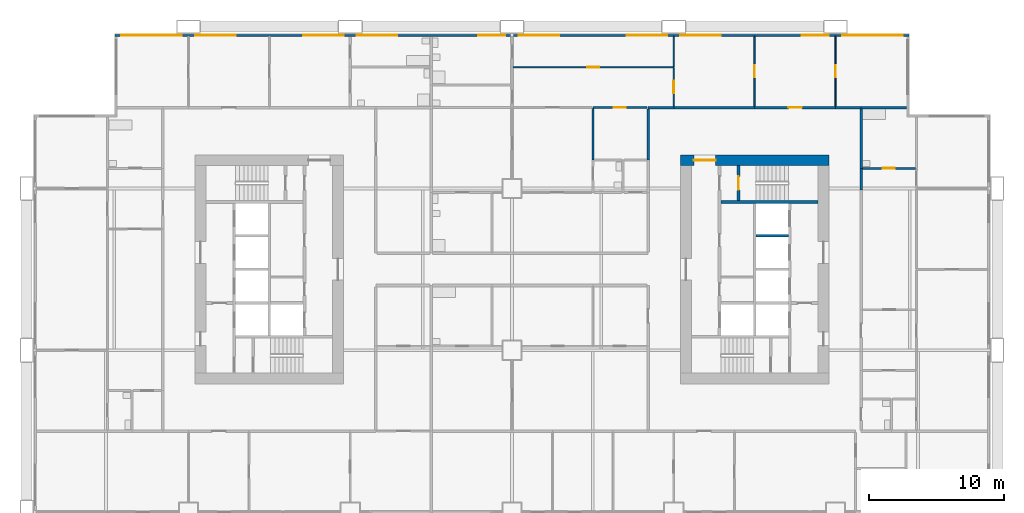
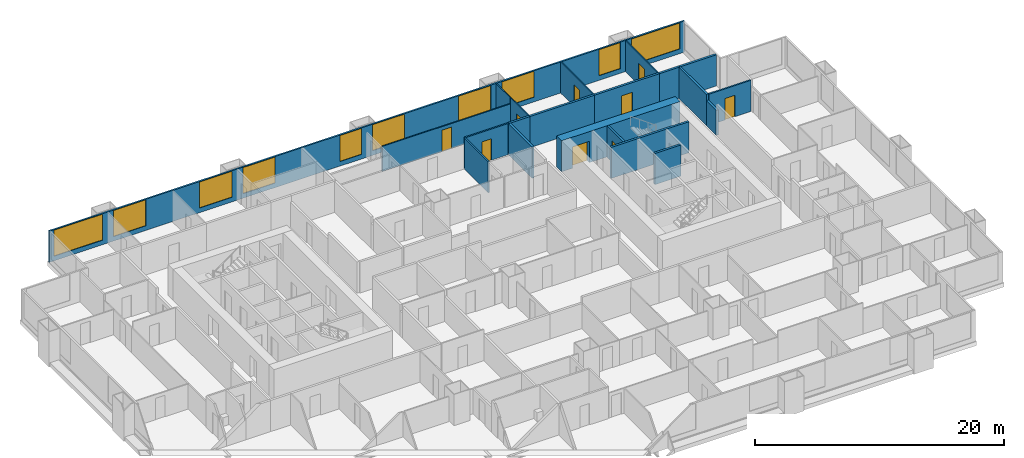
# One storey, part 9 of 13: 21 walls, 10 windows, 9 doors, 19 openings.
"""IFC4 building model written with IfcOpenShell, lengths in metres."""

from ifc_helpers import new_model, si_unit, direction, frame, frame_2d, origin, place, context, subcontext, project, spatial, rectangle, extrude, material, layer, layer_set, type_object, element, fill, save


model = new_model("IFC4")

# Units and contexts
model_context = context("Model", 3, precision=1e-05, world=origin(), true_north=direction((0.0, 1.0)))
body_context = subcontext(model_context, "Body", "Model", "MODEL_VIEW")
ifc_project = project(units=[si_unit("LENGTHUNIT", "METRE"), si_unit("AREAUNIT", "SQUARE_METRE"), si_unit("VOLUMEUNIT", "CUBIC_METRE"), si_unit("PLANEANGLEUNIT", "RADIAN"), si_unit("MASSUNIT", "GRAM", prefix="KILO")], contexts=[model_context])

# Site, building, storey
site_placement = place(None, origin())
site = spatial("IfcSite", under=ifc_project, at=site_placement, CompositionType="ELEMENT")
building_placement = place(site_placement, origin())
building = spatial("IfcBuilding", under=site, at=building_placement, Name="Kitamizu Gate Tower and Museum", CompositionType="ELEMENT")
storey_placement = place(building_placement, frame((0.0, 0.0, 40.35009765625)))
storey = spatial("IfcBuildingStorey", under=building, at=storey_placement, Name="L08", CompositionType="ELEMENT", Elevation=40.35009765625)

# Wall, opening, door
ifc_material_1 = material(Name="Concrete Fc60", Category="concrete")
ifc_layer_1 = layer(ifc_material_1, 0.800048828125)
ifc_layer_set_1 = layer_set([ifc_layer_1], Name="Concrete Fc60")
wall_type_1 = type_object("IfcWallType", Name="Core wall 800", PredefinedType="SHEAR", material=ifc_layer_set_1)
wall_1_placement = place(storey_placement, frame((59.5, 38.10009765625, 0.0), z_axis=(0.0, 0.0, 1.0), x_axis=(-1.0, 0.0, 0.0)))
wall_1 = element("IfcWall", 1, at=wall_1_placement, inside=storey, type_object=wall_type_1, Name="Core wall EN", PredefinedType="SHEAR", context=body_context, shape_type="SweptSolid", body=[
    extrude(rectangle(XDim=11.0, YDim=0.800048828125, at=frame_2d((5.5, 0.0))), origin(), (0.0, 0.0, 1.0), 3.0498046875),
])
opening_1_placement = place(wall_1_placement, frame((8.39990234375, 0.0, 0.0)))
opening_1 = element("IfcOpeningElement", 2, at=opening_1_placement, cuts=wall_1, Name="Opening L08-097", PredefinedType="OPENING", context=body_context, shape_type="SweptSolid", body=[
    extrude(rectangle(XDim=1.60009765625, YDim=2.10009765625, at=frame_2d((0.800048828125, 1.050048828125))), frame((0.0, 0.41015625, 0.0), z_axis=(0.0, -1.0, 0.0), x_axis=(1.0, 0.0, 0.0)), (0.0, 0.0, 1.0), 0.820068359375),
])
ifc_material_2 = material(Name="Timber door set", Category="wood")
door_type_1 = type_object("IfcDoorType", Name="Entrance door 1600", OperationType="DOUBLE_DOOR_SINGLE_SWING", PredefinedType="DOOR", material=ifc_material_2)
door_1_placement = place(opening_1_placement, origin())
door_1 = element("IfcDoor", 3, at=door_1_placement, inside=storey, type_object=door_type_1, Name="Lobby door L08-097", OperationType="DOUBLE_DOOR_SINGLE_SWING", OverallHeight=2.10009765625, OverallWidth=1.60009765625, PredefinedType="DOOR", context=body_context, shape_type="SweptSolid", body=[
    extrude(rectangle(XDim=1.60009765625, YDim=2.10009765625, at=frame_2d((0.800048828125, 1.050048828125))), frame((0.0, 0.02490234375, 0.0), z_axis=(0.0, -1.0, 0.0), x_axis=(1.0, 0.0, 0.0)), (0.0, 0.0, 1.0), 0.050048828125),
])
fill(opening_1, door_1)

ifc_material_3 = material(Name="Gypsum board on galvanised stud")
ifc_layer_2 = layer(ifc_material_3, 0.10009765625)
ifc_layer_set_2 = layer_set([ifc_layer_2], Name="Gypsum board on galvanised stud")
wall_type_2 = type_object("IfcWallType", Name="Partition 100 NOT RATED", PredefinedType="PARTITIONING", material=ifc_layer_set_2)
wall_2_placement = place(storey_placement, frame((48.0, 45.0, 0.0), z_axis=(0.0, 0.0, 1.0), x_axis=(-1.0, 0.0, 0.0)))
wall_2 = element("IfcWall", 4, at=wall_2_placement, inside=storey, type_object=wall_type_2, Name="Partition L08-158", PredefinedType="PARTITIONING", context=body_context, shape_type="SweptSolid", body=[
    extrude(rectangle(XDim=11.925048828125, YDim=0.10009765625, at=frame_2d((5.96240234375, 0.0))), origin(), (0.0, 0.0, 1.0), 2.449951171875),
])
opening_2_placement = place(wall_2_placement, frame((5.512451171875, 0.0, 0.0)))
opening_2 = element("IfcOpeningElement", 5, at=opening_2_placement, cuts=wall_2, Name="Opening L08-059", PredefinedType="OPENING", context=body_context, shape_type="SweptSolid", body=[
    extrude(rectangle(XDim=0.89990234375, YDim=2.10009765625, at=frame_2d((0.449951171875, 1.050048828125))), frame((0.0, 0.06005859375, 0.0), z_axis=(0.0, -1.0, 0.0), x_axis=(1.0, 0.0, 0.0)), (0.0, 0.0, 1.0), 0.1201171875),
])
ifc_material_4 = material(Name="Timber door set", Category="wood")
door_type_2 = type_object("IfcDoorType", Name="Room door 900", OperationType="NOTDEFINED", PredefinedType="DOOR", material=ifc_material_4)
door_2_placement = place(opening_2_placement, frame((0.89990234375, 0.0, 0.0), x_axis=(-1.0, 0.0, 0.0)))
door_2 = element("IfcDoor", 6, at=door_2_placement, inside=storey, type_object=door_type_2, Name="Door L08-059", OperationType="SINGLE_SWING_LEFT", OverallHeight=2.10009765625, OverallWidth=0.89990234375, PredefinedType="DOOR", context=body_context, shape_type="SweptSolid", body=[
    extrude(rectangle(XDim=0.89990234375, YDim=2.10009765625, at=frame_2d((0.449951171875, 1.050048828125))), frame((0.0, 0.02490234375, 0.0), z_axis=(0.0, -1.0, 0.0), x_axis=(1.0, 0.0, 0.0)), (0.0, 0.0, 1.0), 0.050048828125),
])
fill(opening_2, door_2)

wall_3_placement = place(storey_placement, frame((48.0, 42.10009765625, 0.0), z_axis=(0.0, 0.0, 1.0), x_axis=(0.0, 1.0, 0.0)))
wall_3 = element("IfcWall", 7, at=wall_3_placement, inside=storey, type_object=wall_type_2, Name="Partition L08-159", PredefinedType="PARTITIONING", context=body_context, shape_type="SweptSolid", body=[
    extrude(rectangle(XDim=2.849853515625, YDim=0.10009765625, at=frame_2d((1.4248046875, 0.0))), origin(), (0.0, 0.0, 1.0), 3.0498046875),
])
opening_3_placement = place(wall_3_placement, frame((0.97509765625, 0.0, 0.0)))
opening_3 = element("IfcOpeningElement", 8, at=opening_3_placement, cuts=wall_3, Name="Opening L08-058", PredefinedType="OPENING", context=body_context, shape_type="SweptSolid", body=[
    extrude(rectangle(XDim=0.89990234375, YDim=2.10009765625, at=frame_2d((0.449951171875, 1.050048828125))), frame((0.0, 0.06005859375, 0.0), z_axis=(0.0, -1.0, 0.0), x_axis=(1.0, 0.0, 0.0)), (0.0, 0.0, 1.0), 0.1201171875),
])
door_3_placement = place(opening_3_placement, frame((0.89990234375, 0.0, 0.0), x_axis=(-1.0, 0.0, 0.0)))
door_3 = element("IfcDoor", 9, at=door_3_placement, inside=storey, type_object=door_type_2, Name="Door L08-058", OperationType="SINGLE_SWING_LEFT", OverallHeight=2.10009765625, OverallWidth=0.89990234375, PredefinedType="DOOR", context=body_context, shape_type="SweptSolid", body=[
    extrude(rectangle(XDim=0.89990234375, YDim=2.10009765625, at=frame_2d((0.449951171875, 1.050048828125))), frame((0.0, 0.02490234375, 0.0), z_axis=(0.0, -1.0, 0.0), x_axis=(1.0, 0.0, 0.0)), (0.0, 0.0, 1.0), 0.050048828125),
])
fill(opening_3, door_3)

# Wall
wall_4_placement = place(storey_placement, frame((48.0, 45.050048828125, 0.0), z_axis=(0.0, 0.0, 1.0), x_axis=(0.0, 1.0, 0.0)))
element("IfcWall", 10, at=wall_4_placement, inside=storey, type_object=wall_type_2, Name="Partition L08-163", PredefinedType="PARTITIONING", context=body_context, shape_type="SweptSolid", body=[
    extrude(rectangle(XDim=2.22998046875, YDim=0.10009765625, at=frame_2d((1.114990234375, 0.0))), origin(), (0.0, 0.0, 1.0), 3.0498046875),
])

# Wall, opening, door
wall_5_placement = place(storey_placement, frame((54.0, 42.10009765625, 0.0), z_axis=(0.0, 0.0, 1.0), x_axis=(0.0, 1.0, 0.0)))
wall_5 = element("IfcWall", 11, at=wall_5_placement, inside=storey, type_object=wall_type_2, Name="Partition L08-164", PredefinedType="PARTITIONING", context=body_context, shape_type="SweptSolid", body=[
    extrude(rectangle(XDim=5.179931640625, YDim=0.10009765625, at=frame_2d((2.58984375, 0.0))), origin(), (0.0, 0.0, 1.0), 3.0498046875),
])
opening_4_placement = place(wall_5_placement, frame((2.139892578125, 0.0, 0.0)))
opening_4 = element("IfcOpeningElement", 12, at=opening_4_placement, cuts=wall_5, Name="Opening L08-057", PredefinedType="OPENING", context=body_context, shape_type="SweptSolid", body=[
    extrude(rectangle(XDim=0.89990234375, YDim=2.10009765625, at=frame_2d((0.449951171875, 1.050048828125))), frame((0.0, 0.06005859375, 0.0), z_axis=(0.0, -1.0, 0.0), x_axis=(1.0, 0.0, 0.0)), (0.0, 0.0, 1.0), 0.1201171875),
])
door_4_placement = place(opening_4_placement, origin())
door_4 = element("IfcDoor", 13, at=door_4_placement, inside=storey, type_object=door_type_2, Name="Door L08-057", OperationType="SINGLE_SWING_LEFT", OverallHeight=2.10009765625, OverallWidth=0.89990234375, PredefinedType="DOOR", context=body_context, shape_type="SweptSolid", body=[
    extrude(rectangle(XDim=0.89990234375, YDim=2.10009765625, at=frame_2d((0.449951171875, 1.050048828125))), frame((0.0, 0.02490234375, 0.0), z_axis=(0.0, -1.0, 0.0), x_axis=(1.0, 0.0, 0.0)), (0.0, 0.0, 1.0), 0.050048828125),
])
fill(opening_4, door_4)

wall_6_placement = place(storey_placement, frame((60.0, 42.10009765625, 0.0), z_axis=(0.0, 0.0, 1.0), x_axis=(0.0, 1.0, 0.0)))
wall_6 = element("IfcWall", 14, at=wall_6_placement, inside=storey, type_object=wall_type_2, Name="Partition L08-166", PredefinedType="PARTITIONING", context=body_context, shape_type="SweptSolid", body=[
    extrude(rectangle(XDim=5.179931640625, YDim=0.10009765625, at=frame_2d((2.58984375, 0.0))), origin(), (0.0, 0.0, 1.0), 3.0498046875),
])
opening_5_placement = place(wall_6_placement, frame((2.139892578125, 0.0, 0.0)))
opening_5 = element("IfcOpeningElement", 15, at=opening_5_placement, cuts=wall_6, Name="Opening L08-056", PredefinedType="OPENING", context=body_context, shape_type="SweptSolid", body=[
    extrude(rectangle(XDim=0.89990234375, YDim=2.10009765625, at=frame_2d((0.449951171875, 1.050048828125))), frame((0.0, 0.06005859375, 0.0), z_axis=(0.0, -1.0, 0.0), x_axis=(1.0, 0.0, 0.0)), (0.0, 0.0, 1.0), 0.1201171875),
])
door_5_placement = place(opening_5_placement, frame((0.89990234375, 0.0, 0.0), x_axis=(-1.0, 0.0, 0.0)))
door_5 = element("IfcDoor", 16, at=door_5_placement, inside=storey, type_object=door_type_2, Name="Door L08-056", OperationType="SINGLE_SWING_LEFT", OverallHeight=2.10009765625, OverallWidth=0.89990234375, PredefinedType="DOOR", context=body_context, shape_type="SweptSolid", body=[
    extrude(rectangle(XDim=0.89990234375, YDim=2.10009765625, at=frame_2d((0.449951171875, 1.050048828125))), frame((0.0, 0.02490234375, 0.0), z_axis=(0.0, -1.0, 0.0), x_axis=(1.0, 0.0, 0.0)), (0.0, 0.0, 1.0), 0.050048828125),
])
fill(opening_5, door_5)

ifc_material_5 = material(Name="Gypsum board on galvanised stud")
ifc_layer_3 = layer(ifc_material_5, 0.14990234375)
ifc_layer_set_3 = layer_set([ifc_layer_3], Name="Gypsum board on galvanised stud")
wall_type_3 = type_object("IfcWallType", Name="Partition 150", PredefinedType="PARTITIONING", material=ifc_layer_set_3)
wall_7_placement = place(storey_placement, frame((42.0, 42.0, 0.0), z_axis=(0.0, 0.0, 1.0), x_axis=(1.0, 0.0, 0.0)))
wall_7 = element("IfcWall", 17, at=wall_7_placement, inside=storey, type_object=wall_type_3, Name="Partition L08-161", PredefinedType="PARTITIONING", context=body_context, shape_type="SweptSolid", body=[
    extrude(rectangle(XDim=4.0, YDim=0.14990234375, at=frame_2d((2.0, 0.0))), origin(), (0.0, 0.0, 1.0), 3.0498046875),
])
opening_6_placement = place(wall_7_placement, frame((1.550048828125, 0.0, 0.0)))
opening_6 = element("IfcOpeningElement", 18, at=opening_6_placement, cuts=wall_7, Name="Opening L08-062", PredefinedType="OPENING", context=body_context, shape_type="SweptSolid", body=[
    extrude(rectangle(XDim=0.89990234375, YDim=2.10009765625, at=frame_2d((0.449951171875, 1.050048828125))), frame((0.0, 0.0849609375, 0.0), z_axis=(0.0, -1.0, 0.0), x_axis=(1.0, 0.0, 0.0)), (0.0, 0.0, 1.0), 0.169921875),
])
ifc_material_6 = material(Name="Timber door set", Category="wood")
door_type_3 = type_object("IfcDoorType", Name="Bathroom door 900", OperationType="NOTDEFINED", PredefinedType="DOOR", material=ifc_material_6)
door_6_placement = place(opening_6_placement, frame((0.89990234375, 0.0, 0.0), x_axis=(-1.0, 0.0, 0.0)))
door_6 = element("IfcDoor", 19, at=door_6_placement, inside=storey, type_object=door_type_3, Name="Bathroom door L08-062", OperationType="SINGLE_SWING_LEFT", OverallHeight=2.10009765625, OverallWidth=0.89990234375, PredefinedType="DOOR", context=body_context, shape_type="SweptSolid", body=[
    extrude(rectangle(XDim=0.89990234375, YDim=2.10009765625, at=frame_2d((0.449951171875, 1.050048828125))), frame((0.0, 0.02490234375, 0.0), z_axis=(0.0, -1.0, 0.0), x_axis=(1.0, 0.0, 0.0)), (0.0, 0.0, 1.0), 0.050048828125),
])
fill(opening_6, door_6)

# Wall
wall_8_placement = place(storey_placement, frame((42.0, 38.10009765625, 0.0), z_axis=(0.0, 0.0, 1.0), x_axis=(0.0, 1.0, 0.0)))
element("IfcWall", 20, at=wall_8_placement, inside=storey, type_object=wall_type_3, Name="Partition L08-175", PredefinedType="PARTITIONING", context=body_context, shape_type="SweptSolid", body=[
    extrude(rectangle(XDim=3.824951171875, YDim=0.14990234375, at=frame_2d((1.91259765625, 0.0))), origin(), (0.0, 0.0, 1.0), 3.0498046875),
])

# Wall, opening, door
wall_9_placement = place(storey_placement, frame((65.925048828125, 37.5, 0.0), z_axis=(0.0, 0.0, 1.0), x_axis=(-1.0, 0.0, 0.0)))
wall_9 = element("IfcWall", 21, at=wall_9_placement, inside=storey, type_object=wall_type_3, Name="Partition L08-210", PredefinedType="PARTITIONING", context=body_context, shape_type="SweptSolid", body=[
    extrude(rectangle(XDim=3.925048828125, YDim=0.14990234375, at=frame_2d((1.96240234375, 0.0))), origin(), (0.0, 0.0, 1.0), 3.0498046875),
])
opening_7_placement = place(wall_9_placement, frame((1.512451171875, 0.0, 0.0)))
opening_7 = element("IfcOpeningElement", 22, at=opening_7_placement, cuts=wall_9, Name="Opening L08-076", PredefinedType="OPENING", context=body_context, shape_type="SweptSolid", body=[
    extrude(rectangle(XDim=0.89990234375, YDim=2.10009765625, at=frame_2d((0.449951171875, 1.050048828125))), frame((0.0, 0.0849609375, 0.0), z_axis=(0.0, -1.0, 0.0), x_axis=(1.0, 0.0, 0.0)), (0.0, 0.0, 1.0), 0.169921875),
])
door_7_placement = place(opening_7_placement, frame((0.89990234375, 0.0, 0.0), x_axis=(-1.0, 0.0, 0.0)))
door_7 = element("IfcDoor", 23, at=door_7_placement, inside=storey, type_object=door_type_3, Name="Bathroom door L08-076", OperationType="SINGLE_SWING_RIGHT", OverallHeight=2.10009765625, OverallWidth=0.89990234375, PredefinedType="DOOR", context=body_context, shape_type="SweptSolid", body=[
    extrude(rectangle(XDim=0.89990234375, YDim=2.10009765625, at=frame_2d((0.449951171875, 1.050048828125))), frame((0.0, 0.02490234375, 0.0), z_axis=(0.0, -1.0, 0.0), x_axis=(1.0, 0.0, 0.0)), (0.0, 0.0, 1.0), 0.050048828125),
])
fill(opening_7, door_7)

# Walls
ifc_material_7 = material(Name="Gypsum board on galvanised stud")
ifc_layer_4 = layer(ifc_material_7, 0.199951171875)
ifc_layer_set_4 = layer_set([ifc_layer_4], Name="Gypsum board on galvanised stud")
wall_type_4 = type_object("IfcWallType", Name="Partition 200", PredefinedType="PARTITIONING", material=ifc_layer_set_4)
wall_10_placement = place(storey_placement, frame((46.10009765625, 42.0, 0.0), z_axis=(0.0, 0.0, 1.0), x_axis=(1.0, 0.0, 0.0)))
element("IfcWall", 24, at=wall_10_placement, inside=storey, type_object=wall_type_4, Name="Partition L08-162", PredefinedType="PARTITIONING", context=body_context, shape_type="SweptSolid", body=[
    extrude(rectangle(XDim=1.89990234375, YDim=0.199951171875, at=frame_2d((0.949951171875, 0.0))), origin(), (0.0, 0.0, 1.0), 3.0498046875),
])
wall_11_placement = place(storey_placement, frame((48.0, 42.0, 0.0), z_axis=(0.0, 0.0, 1.0), x_axis=(1.0, 0.0, 0.0)))
element("IfcWall", 25, at=wall_11_placement, inside=storey, type_object=wall_type_4, Name="Partition L08-165", PredefinedType="PARTITIONING", context=body_context, shape_type="SweptSolid", body=[
    extrude(rectangle(XDim=6.0, YDim=0.199951171875, at=frame_2d((3.0, 0.0))), origin(), (0.0, 0.0, 1.0), 3.0498046875),
])

# Wall, opening, door
wall_12_placement = place(storey_placement, frame((54.0, 42.0, 0.0), z_axis=(0.0, 0.0, 1.0), x_axis=(1.0, 0.0, 0.0)))
wall_12 = element("IfcWall", 26, at=wall_12_placement, inside=storey, type_object=wall_type_4, Name="Partition L08-167", PredefinedType="PARTITIONING", context=body_context, shape_type="SweptSolid", body=[
    extrude(rectangle(XDim=6.0, YDim=0.199951171875, at=frame_2d((3.0, 0.0))), origin(), (0.0, 0.0, 1.0), 3.0498046875),
])
opening_8_placement = place(wall_12_placement, frame((2.5, 0.0, 0.0)))
opening_8 = element("IfcOpeningElement", 27, at=opening_8_placement, cuts=wall_12, Name="Opening L08-055", PredefinedType="OPENING", context=body_context, shape_type="SweptSolid", body=[
    extrude(rectangle(XDim=1.0, YDim=2.10009765625, at=frame_2d((0.5, 1.050048828125))), frame((0.0, 0.10986328125, 0.0), z_axis=(0.0, -1.0, 0.0), x_axis=(1.0, 0.0, 0.0)), (0.0, 0.0, 1.0), 0.219970703125),
])
ifc_material_8 = material(Name="Timber door set", Category="wood")
door_type_4 = type_object("IfcDoorType", Name="Flat entrance door 1000", OperationType="NOTDEFINED", PredefinedType="DOOR", material=ifc_material_8)
door_8_placement = place(opening_8_placement, origin())
door_8 = element("IfcDoor", 28, at=door_8_placement, inside=storey, type_object=door_type_4, Name="Flat entrance door L08-055", OperationType="SINGLE_SWING_LEFT", OverallHeight=2.10009765625, OverallWidth=1.0, PredefinedType="DOOR", context=body_context, shape_type="SweptSolid", body=[
    extrude(rectangle(XDim=1.0, YDim=2.10009765625, at=frame_2d((0.5, 1.050048828125))), frame((0.0, 0.02490234375, 0.0), z_axis=(0.0, -1.0, 0.0), x_axis=(1.0, 0.0, 0.0)), (0.0, 0.0, 1.0), 0.050048828125),
])
fill(opening_8, door_8)

# Walls
wall_13_placement = place(storey_placement, frame((61.89990234375, 42.0, 0.0), z_axis=(0.0, 0.0, 1.0), x_axis=(1.0, 0.0, 0.0)))
element("IfcWall", 29, at=wall_13_placement, inside=storey, type_object=wall_type_4, Name="Partition L08-168", PredefinedType="PARTITIONING", context=body_context, shape_type="SweptSolid", body=[
    extrude(rectangle(XDim=3.380126953125, YDim=0.199951171875, at=frame_2d((1.68994140625, 0.0))), origin(), (0.0, 0.0, 1.0), 3.0498046875),
])
wall_14_placement = place(storey_placement, frame((60.0, 42.0, 0.0), z_axis=(0.0, 0.0, 1.0), x_axis=(1.0, 0.0, 0.0)))
element("IfcWall", 30, at=wall_14_placement, inside=storey, type_object=wall_type_4, Name="Partition L08-169", PredefinedType="PARTITIONING", context=body_context, shape_type="SweptSolid", body=[
    extrude(rectangle(XDim=1.89990234375, YDim=0.199951171875, at=frame_2d((0.949951171875, 0.0))), origin(), (0.0, 0.0, 1.0), 3.0498046875),
])
wall_15_placement = place(storey_placement, frame((46.10009765625, 38.10009765625, 0.0), z_axis=(0.0, 0.0, 1.0), x_axis=(0.0, 1.0, 0.0)))
element("IfcWall", 31, at=wall_15_placement, inside=storey, type_object=wall_type_4, Name="Partition L08-185", PredefinedType="PARTITIONING", context=body_context, shape_type="SweptSolid", body=[
    extrude(rectangle(XDim=3.7998046875, YDim=0.199951171875, at=frame_2d((1.89990234375, 0.0))), origin(), (0.0, 0.0, 1.0), 3.0498046875),
])
wall_16_placement = place(storey_placement, frame((61.89990234375, 37.5, 0.0), z_axis=(0.0, 0.0, 1.0), x_axis=(0.0, -1.0, 0.0)))
element("IfcWall", 32, at=wall_16_placement, inside=storey, type_object=wall_type_4, Name="Partition L08-211", PredefinedType="PARTITIONING", context=body_context, shape_type="SweptSolid", body=[
    extrude(rectangle(XDim=1.60009765625, YDim=0.199951171875, at=frame_2d((0.800048828125, 0.0))), origin(), (0.0, 0.0, 1.0), 2.449951171875),
])
wall_17_placement = place(storey_placement, frame((61.89990234375, 41.89990234375, 0.0), z_axis=(0.0, 0.0, 1.0), x_axis=(0.0, -1.0, 0.0)))
element("IfcWall", 33, at=wall_17_placement, inside=storey, type_object=wall_type_4, Name="Partition L08-213", PredefinedType="PARTITIONING", context=body_context, shape_type="SweptSolid", body=[
    extrude(rectangle(XDim=4.39990234375, YDim=0.199951171875, at=frame_2d((2.199951171875, 0.0))), origin(), (0.0, 0.0, 1.0), 3.0498046875),
])
ifc_material_9 = material(Name="Concrete Fc42", Category="concrete")
ifc_layer_5 = layer(ifc_material_9, 0.199951171875)
ifc_layer_set_5 = layer_set([ifc_layer_5], Name="Concrete Fc42")
wall_type_5 = type_object("IfcWallType", Name="Shaft wall 200", PredefinedType="SOLIDWALL", material=ifc_layer_set_5)
wall_18_placement = place(storey_placement, frame((58.699951171875, 35.0, 0.0), z_axis=(0.0, 0.0, 1.0), x_axis=(-1.0, 0.0, 0.0)))
element("IfcWall", 34, at=wall_18_placement, inside=storey, type_object=wall_type_5, Name="Shaft wall ENB", PredefinedType="SOLIDWALL", context=body_context, shape_type="SweptSolid", body=[
    extrude(rectangle(XDim=7.199951171875, YDim=0.199951171875, at=frame_2d((3.60009765625, 0.0))), origin(), (0.0, 0.0, 1.0), 3.0498046875),
])

# Wall, opening, door
wall_19_placement = place(storey_placement, frame((52.800048828125, 35.10009765625, 0.0), z_axis=(0.0, 0.0, 1.0), x_axis=(0.0, 1.0, 0.0)))
wall_19 = element("IfcWall", 35, at=wall_19_placement, inside=storey, type_object=wall_type_5, Name="Shaft wall ENZ", PredefinedType="SOLIDWALL", context=body_context, shape_type="SweptSolid", body=[
    extrude(rectangle(XDim=2.599853515625, YDim=0.199951171875, at=frame_2d((1.2998046875, 0.0))), origin(), (0.0, 0.0, 1.0), 3.0498046875),
])
opening_9_placement = place(wall_19_placement, frame((0.800048828125, 0.0, 0.0)))
opening_9 = element("IfcOpeningElement", 36, at=opening_9_placement, cuts=wall_19, Name="Opening L08-093", PredefinedType="OPENING", context=body_context, shape_type="SweptSolid", body=[
    extrude(rectangle(XDim=1.0, YDim=2.10009765625, at=frame_2d((0.5, 1.050048828125))), frame((0.0, 0.10986328125, 0.0), z_axis=(0.0, -1.0, 0.0), x_axis=(1.0, 0.0, 0.0)), (0.0, 0.0, 1.0), 0.219970703125),
])
ifc_material_10 = material(Name="Hollow metal door set")
door_type_5 = type_object("IfcDoorType", Name="Fire door 1000", OperationType="NOTDEFINED", PredefinedType="DOOR", material=ifc_material_10)
door_9_placement = place(opening_9_placement, frame((1.0, 0.0, 0.0), x_axis=(-1.0, 0.0, 0.0)))
door_9 = element("IfcDoor", 37, at=door_9_placement, inside=storey, type_object=door_type_5, Name="Stair door L08-093", OperationType="SINGLE_SWING_RIGHT", OverallHeight=2.10009765625, OverallWidth=1.0, PredefinedType="DOOR", context=body_context, shape_type="SweptSolid", body=[
    extrude(rectangle(XDim=1.0, YDim=2.10009765625, at=frame_2d((0.5, 1.050048828125))), frame((0.0, 0.02490234375, 0.0), z_axis=(0.0, -1.0, 0.0), x_axis=(1.0, 0.0, 0.0)), (0.0, 0.0, 1.0), 0.050048828125),
])
fill(opening_9, door_9)

# Wall
wall_20_placement = place(storey_placement, frame((56.5, 32.5, 0.0), z_axis=(0.0, 0.0, 1.0), x_axis=(-1.0, 0.0, 0.0)))
element("IfcWall", 38, at=wall_20_placement, inside=storey, type_object=wall_type_5, Name="Shaft wall EDVW2", PredefinedType="SOLIDWALL", context=body_context, shape_type="SweptSolid", body=[
    extrude(rectangle(XDim=2.39990234375, YDim=0.199951171875, at=frame_2d((1.199951171875, 0.0))), origin(), (0.0, 0.0, 1.0), 3.0498046875),
])

# Wall, openings, windows
ifc_material_11 = material(Name="Bronze anodised aluminium frame with insulated spandrel and tinted glass", Category="aluminium")
ifc_layer_6 = layer(ifc_material_11, 0.14990234375)
ifc_layer_set_6 = layer_set([ifc_layer_6], Name="Bronze anodised aluminium frame with insulated spandrel and tinted glass")
wall_type_6 = type_object("IfcWallType", Name="WINDOW WALL 150 BRONZE FRAME EI 30", PredefinedType="ELEMENTEDWALL", material=ifc_layer_set_6)
wall_21_placement = place(storey_placement, frame((6.56005859375, 47.364990234375, 0.0), z_axis=(0.0, 0.0, 1.0), x_axis=(1.0, 0.0, 0.0)))
wall_21 = element("IfcWall", 39, at=wall_21_placement, inside=storey, type_object=wall_type_6, Name="Window wall north L08", PredefinedType="ELEMENTEDWALL", context=body_context, shape_type="SweptSolid", body=[
    extrude(rectangle(XDim=58.8798828125, YDim=0.14990234375, at=frame_2d((29.43994140625, 0.0))), origin(), (0.0, 0.0, 1.0), 3.0498046875),
])
opening_10_placement = place(wall_21_placement, frame((0.43994140625, 0.0, 0.449951171875)))
opening_10 = element("IfcOpeningElement", 40, at=opening_10_placement, cuts=wall_21, Name="Opening W15", PredefinedType="OPENING", context=body_context, shape_type="SweptSolid", body=[
    extrude(rectangle(XDim=4.5, YDim=2.550048828125, at=frame_2d((2.25, 1.27490234375))), frame((0.0, 0.0849609375, 0.0), z_axis=(0.0, -1.0, 0.0), x_axis=(1.0, 0.0, 0.0)), (0.0, 0.0, 1.0), 0.169921875),
])
opening_11_placement = place(wall_21_placement, frame((5.93994140625, 0.0, 0.449951171875)))
opening_11 = element("IfcOpeningElement", 41, at=opening_11_placement, cuts=wall_21, Name="Opening W33", PredefinedType="OPENING", context=body_context, shape_type="SweptSolid", body=[
    extrude(rectangle(XDim=3.0, YDim=2.550048828125, at=frame_2d((1.5, 1.27490234375))), frame((0.0, 0.0849609375, 0.0), z_axis=(0.0, -1.0, 0.0), x_axis=(1.0, 0.0, 0.0)), (0.0, 0.0, 1.0), 0.169921875),
])
opening_12_placement = place(wall_21_placement, frame((13.93994140625, 0.0, 0.449951171875)))
opening_12 = element("IfcOpeningElement", 42, at=opening_12_placement, cuts=wall_21, Name="Opening W33", PredefinedType="OPENING", context=body_context, shape_type="SweptSolid", body=[
    extrude(rectangle(XDim=3.0, YDim=2.550048828125, at=frame_2d((1.5, 1.27490234375))), frame((0.0, 0.0849609375, 0.0), z_axis=(0.0, -1.0, 0.0), x_axis=(1.0, 0.0, 0.0)), (0.0, 0.0, 1.0), 0.169921875),
])
opening_13_placement = place(wall_21_placement, frame((17.93994140625, 0.0, 0.449951171875)))
opening_13 = element("IfcOpeningElement", 43, at=opening_13_placement, cuts=wall_21, Name="Opening W33", PredefinedType="OPENING", context=body_context, shape_type="SweptSolid", body=[
    extrude(rectangle(XDim=3.0, YDim=2.550048828125, at=frame_2d((1.5, 1.27490234375))), frame((0.0, 0.0849609375, 0.0), z_axis=(0.0, -1.0, 0.0), x_axis=(1.0, 0.0, 0.0)), (0.0, 0.0, 1.0), 0.169921875),
])
opening_14_placement = place(wall_21_placement, frame((26.93994140625, 0.0, 0.449951171875)))
opening_14 = element("IfcOpeningElement", 44, at=opening_14_placement, cuts=wall_21, Name="Opening W2", PredefinedType="OPENING", context=body_context, shape_type="SweptSolid", body=[
    extrude(rectangle(XDim=2.0, YDim=2.550048828125, at=frame_2d((1.0, 1.27490234375))), frame((0.0, 0.0849609375, 0.0), z_axis=(0.0, -1.0, 0.0), x_axis=(1.0, 0.0, 0.0)), (0.0, 0.0, 1.0), 0.169921875),
])
opening_15_placement = place(wall_21_placement, frame((29.93994140625, 0.0, 0.449951171875)))
opening_15 = element("IfcOpeningElement", 45, at=opening_15_placement, cuts=wall_21, Name="Opening W33", PredefinedType="OPENING", context=body_context, shape_type="SweptSolid", body=[
    extrude(rectangle(XDim=3.0, YDim=2.550048828125, at=frame_2d((1.5, 1.27490234375))), frame((0.0, 0.0849609375, 0.0), z_axis=(0.0, -1.0, 0.0), x_axis=(1.0, 0.0, 0.0)), (0.0, 0.0, 1.0), 0.169921875),
])
opening_16_placement = place(wall_21_placement, frame((37.93994140625, 0.0, 0.449951171875)))
opening_16 = element("IfcOpeningElement", 46, at=opening_16_placement, cuts=wall_21, Name="Opening W33", PredefinedType="OPENING", context=body_context, shape_type="SweptSolid", body=[
    extrude(rectangle(XDim=3.0, YDim=2.550048828125, at=frame_2d((1.5, 1.27490234375))), frame((0.0, 0.0849609375, 0.0), z_axis=(0.0, -1.0, 0.0), x_axis=(1.0, 0.0, 0.0)), (0.0, 0.0, 1.0), 0.169921875),
])
opening_17_placement = place(wall_21_placement, frame((41.93994140625, 0.0, 0.449951171875)))
opening_17 = element("IfcOpeningElement", 47, at=opening_17_placement, cuts=wall_21, Name="Opening W33", PredefinedType="OPENING", context=body_context, shape_type="SweptSolid", body=[
    extrude(rectangle(XDim=3.0, YDim=2.550048828125, at=frame_2d((1.5, 1.27490234375))), frame((0.0, 0.0849609375, 0.0), z_axis=(0.0, -1.0, 0.0), x_axis=(1.0, 0.0, 0.0)), (0.0, 0.0, 1.0), 0.169921875),
])
opening_18_placement = place(wall_21_placement, frame((50.93994140625, 0.0, 0.449951171875)))
opening_18 = element("IfcOpeningElement", 48, at=opening_18_placement, cuts=wall_21, Name="Opening W2", PredefinedType="OPENING", context=body_context, shape_type="SweptSolid", body=[
    extrude(rectangle(XDim=2.0, YDim=2.550048828125, at=frame_2d((1.0, 1.27490234375))), frame((0.0, 0.0849609375, 0.0), z_axis=(0.0, -1.0, 0.0), x_axis=(1.0, 0.0, 0.0)), (0.0, 0.0, 1.0), 0.169921875),
])
opening_19_placement = place(wall_21_placement, frame((53.93994140625, 0.0, 0.449951171875)))
opening_19 = element("IfcOpeningElement", 49, at=opening_19_placement, cuts=wall_21, Name="Opening W15", PredefinedType="OPENING", context=body_context, shape_type="SweptSolid", body=[
    extrude(rectangle(XDim=4.5, YDim=2.550048828125, at=frame_2d((2.25, 1.27490234375))), frame((0.0, 0.0849609375, 0.0), z_axis=(0.0, -1.0, 0.0), x_axis=(1.0, 0.0, 0.0)), (0.0, 0.0, 1.0), 0.169921875),
])
ifc_material_12 = material(Name="Bronze anodised aluminium frame, tinted triple glazing", Category="aluminium")
window_type_1 = type_object("IfcWindowType", Name="WINDOW 2000 x 2550 SILL 450", PartitioningType="SINGLE_PANEL", PredefinedType="WINDOW", material=ifc_material_12)
window_1_placement = place(opening_14_placement, origin())
window_1 = element("IfcWindow", 50, at=window_1_placement, inside=storey, type_object=window_type_1, Name="Window W2 L08", OverallHeight=2.550048828125, OverallWidth=2.0, PartitioningType="SINGLE_PANEL", PredefinedType="WINDOW", context=body_context, shape_type="SweptSolid", body=[
    extrude(rectangle(XDim=2.0, YDim=2.550048828125, at=frame_2d((1.0, 1.27490234375))), frame((0.0, 0.030029296875, 0.0), z_axis=(0.0, -1.0, 0.0), x_axis=(1.0, 0.0, 0.0)), (0.0, 0.0, 1.0), 0.06005859375),
])
fill(opening_14, window_1)
window_2_placement = place(opening_18_placement, origin())
window_2 = element("IfcWindow", 51, at=window_2_placement, inside=storey, type_object=window_type_1, Name="Window W2 L08", OverallHeight=2.550048828125, OverallWidth=2.0, PartitioningType="SINGLE_PANEL", PredefinedType="WINDOW", context=body_context, shape_type="SweptSolid", body=[
    extrude(rectangle(XDim=2.0, YDim=2.550048828125, at=frame_2d((1.0, 1.27490234375))), frame((0.0, 0.030029296875, 0.0), z_axis=(0.0, -1.0, 0.0), x_axis=(1.0, 0.0, 0.0)), (0.0, 0.0, 1.0), 0.06005859375),
])
fill(opening_18, window_2)
ifc_material_13 = material(Name="Bronze anodised aluminium frame, tinted triple glazing", Category="aluminium")
window_type_2 = type_object("IfcWindowType", Name="WINDOW 3000 x 2550 SILL 450", PartitioningType="SINGLE_PANEL", PredefinedType="WINDOW", material=ifc_material_13)
window_3_placement = place(opening_11_placement, origin())
window_3 = element("IfcWindow", 52, at=window_3_placement, inside=storey, type_object=window_type_2, Name="Window W33 L08", OverallHeight=2.550048828125, OverallWidth=3.0, PartitioningType="SINGLE_PANEL", PredefinedType="WINDOW", context=body_context, shape_type="SweptSolid", body=[
    extrude(rectangle(XDim=3.0, YDim=2.550048828125, at=frame_2d((1.5, 1.27490234375))), frame((0.0, 0.030029296875, 0.0), z_axis=(0.0, -1.0, 0.0), x_axis=(1.0, 0.0, 0.0)), (0.0, 0.0, 1.0), 0.06005859375),
])
fill(opening_11, window_3)
window_4_placement = place(opening_12_placement, origin())
window_4 = element("IfcWindow", 53, at=window_4_placement, inside=storey, type_object=window_type_2, Name="Window W33 L08", OverallHeight=2.550048828125, OverallWidth=3.0, PartitioningType="SINGLE_PANEL", PredefinedType="WINDOW", context=body_context, shape_type="SweptSolid", body=[
    extrude(rectangle(XDim=3.0, YDim=2.550048828125, at=frame_2d((1.5, 1.27490234375))), frame((0.0, 0.030029296875, 0.0), z_axis=(0.0, -1.0, 0.0), x_axis=(1.0, 0.0, 0.0)), (0.0, 0.0, 1.0), 0.06005859375),
])
fill(opening_12, window_4)
window_5_placement = place(opening_13_placement, origin())
window_5 = element("IfcWindow", 54, at=window_5_placement, inside=storey, type_object=window_type_2, Name="Window W33 L08", OverallHeight=2.550048828125, OverallWidth=3.0, PartitioningType="SINGLE_PANEL", PredefinedType="WINDOW", context=body_context, shape_type="SweptSolid", body=[
    extrude(rectangle(XDim=3.0, YDim=2.550048828125, at=frame_2d((1.5, 1.27490234375))), frame((0.0, 0.030029296875, 0.0), z_axis=(0.0, -1.0, 0.0), x_axis=(1.0, 0.0, 0.0)), (0.0, 0.0, 1.0), 0.06005859375),
])
fill(opening_13, window_5)
window_6_placement = place(opening_15_placement, origin())
window_6 = element("IfcWindow", 55, at=window_6_placement, inside=storey, type_object=window_type_2, Name="Window W33 L08", OverallHeight=2.550048828125, OverallWidth=3.0, PartitioningType="SINGLE_PANEL", PredefinedType="WINDOW", context=body_context, shape_type="SweptSolid", body=[
    extrude(rectangle(XDim=3.0, YDim=2.550048828125, at=frame_2d((1.5, 1.27490234375))), frame((0.0, 0.030029296875, 0.0), z_axis=(0.0, -1.0, 0.0), x_axis=(1.0, 0.0, 0.0)), (0.0, 0.0, 1.0), 0.06005859375),
])
fill(opening_15, window_6)
window_7_placement = place(opening_16_placement, origin())
window_7 = element("IfcWindow", 56, at=window_7_placement, inside=storey, type_object=window_type_2, Name="Window W33 L08", OverallHeight=2.550048828125, OverallWidth=3.0, PartitioningType="SINGLE_PANEL", PredefinedType="WINDOW", context=body_context, shape_type="SweptSolid", body=[
    extrude(rectangle(XDim=3.0, YDim=2.550048828125, at=frame_2d((1.5, 1.27490234375))), frame((0.0, 0.030029296875, 0.0), z_axis=(0.0, -1.0, 0.0), x_axis=(1.0, 0.0, 0.0)), (0.0, 0.0, 1.0), 0.06005859375),
])
fill(opening_16, window_7)
window_8_placement = place(opening_17_placement, origin())
window_8 = element("IfcWindow", 57, at=window_8_placement, inside=storey, type_object=window_type_2, Name="Window W33 L08", OverallHeight=2.550048828125, OverallWidth=3.0, PartitioningType="SINGLE_PANEL", PredefinedType="WINDOW", context=body_context, shape_type="SweptSolid", body=[
    extrude(rectangle(XDim=3.0, YDim=2.550048828125, at=frame_2d((1.5, 1.27490234375))), frame((0.0, 0.030029296875, 0.0), z_axis=(0.0, -1.0, 0.0), x_axis=(1.0, 0.0, 0.0)), (0.0, 0.0, 1.0), 0.06005859375),
])
fill(opening_17, window_8)
ifc_material_14 = material(Name="Bronze anodised aluminium frame, tinted triple glazing", Category="aluminium")
window_type_3 = type_object("IfcWindowType", Name="WINDOW 4500 x 2550 SILL 450", PartitioningType="SINGLE_PANEL", PredefinedType="WINDOW", material=ifc_material_14)
window_9_placement = place(opening_10_placement, origin())
window_9 = element("IfcWindow", 58, at=window_9_placement, inside=storey, type_object=window_type_3, Name="Window W15 L08", OverallHeight=2.550048828125, OverallWidth=4.5, PartitioningType="SINGLE_PANEL", PredefinedType="WINDOW", context=body_context, shape_type="SweptSolid", body=[
    extrude(rectangle(XDim=4.5, YDim=2.550048828125, at=frame_2d((2.25, 1.27490234375))), frame((0.0, 0.030029296875, 0.0), z_axis=(0.0, -1.0, 0.0), x_axis=(1.0, 0.0, 0.0)), (0.0, 0.0, 1.0), 0.06005859375),
])
fill(opening_10, window_9)
window_10_placement = place(opening_19_placement, origin())
window_10 = element("IfcWindow", 59, at=window_10_placement, inside=storey, type_object=window_type_3, Name="Window W15 L08", OverallHeight=2.550048828125, OverallWidth=4.5, PartitioningType="SINGLE_PANEL", PredefinedType="WINDOW", context=body_context, shape_type="SweptSolid", body=[
    extrude(rectangle(XDim=4.5, YDim=2.550048828125, at=frame_2d((2.25, 1.27490234375))), frame((0.0, 0.030029296875, 0.0), z_axis=(0.0, -1.0, 0.0), x_axis=(1.0, 0.0, 0.0)), (0.0, 0.0, 1.0), 0.06005859375),
])
fill(opening_19, window_10)

save(model, "model.ifc")
